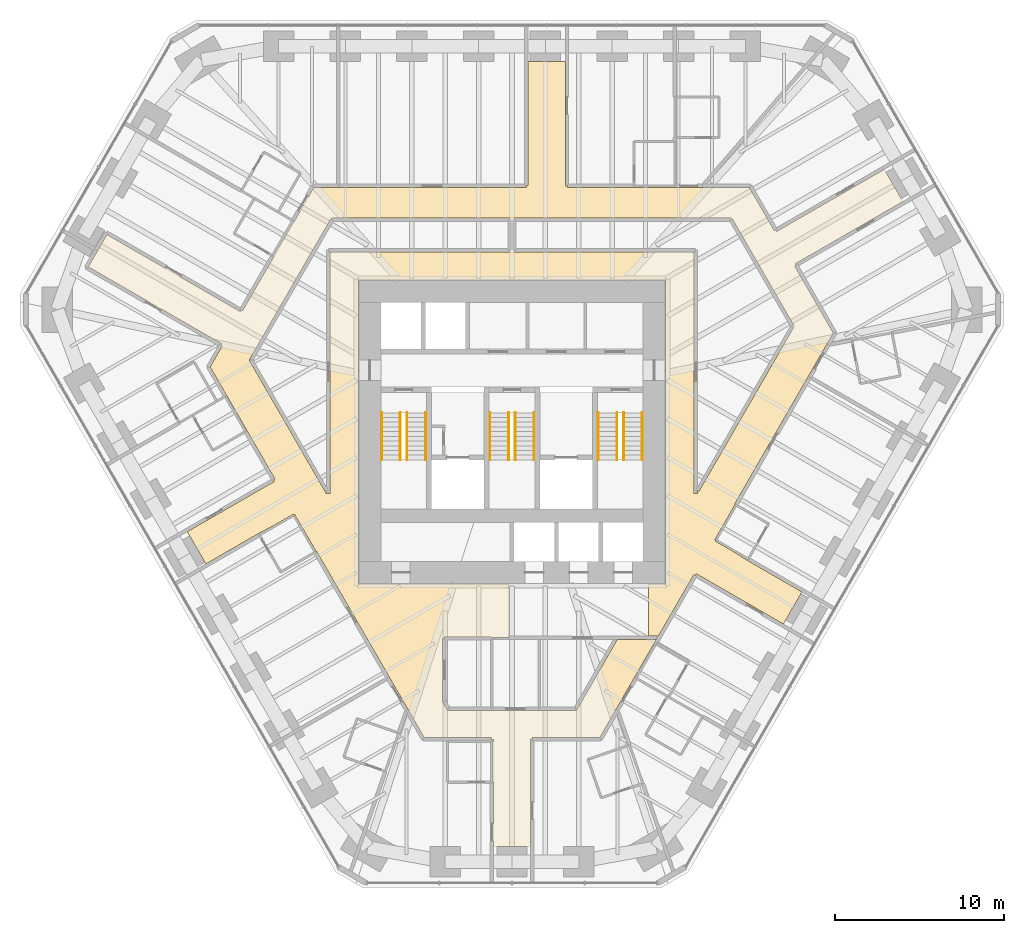
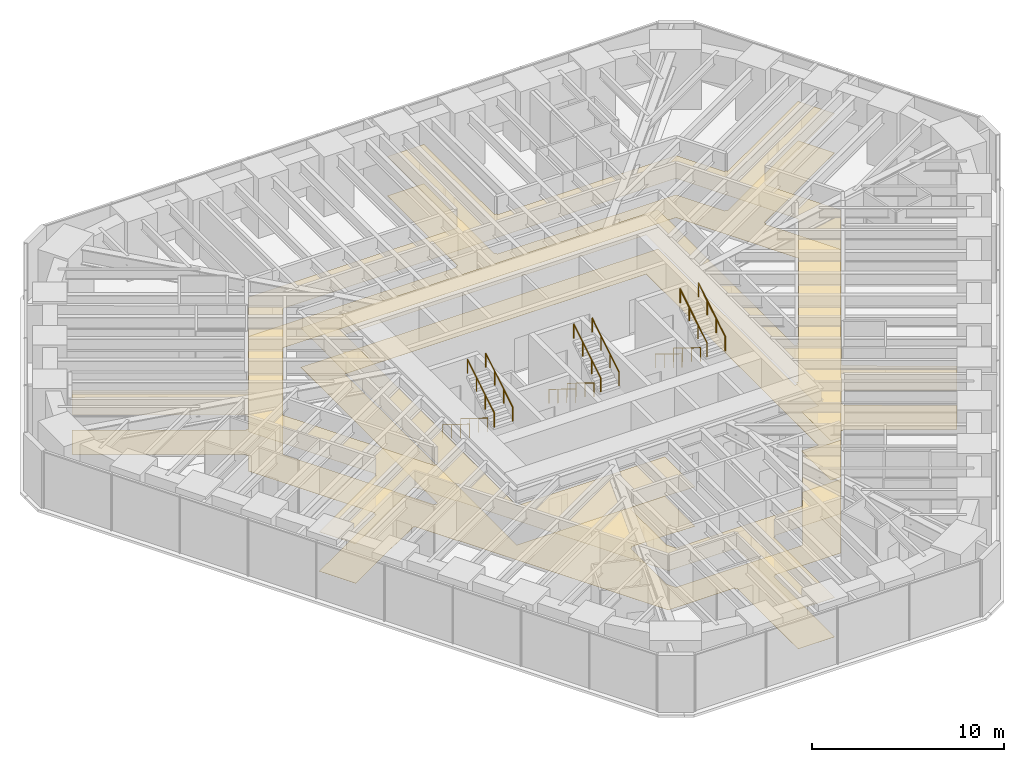
# One storey, part 16 of 16: 12 railings, 2 coverings.
"""IFC4 building model written with IfcOpenShell, lengths in metres."""

import ifcopenshell
import ifcopenshell.guid

model = None  # the IFC model being written
_history = None  # IfcOwnerHistory: only IFC2X3 demands one
_inside = {}  # id of a spatial element -> (the spatial element, [elements in it])
_under = {}  # id of a project, library or spatial element -> (it, [spatial elements below it])
_declared = {}  # id of a project -> (the project, [libraries it declares])
_typed = {}  # id of a type object -> (the type object, [elements of that type])
_made_of = {}  # id of a material, layer set ... -> (it, [elements and type objects made of it])


def new_model(schema):
    """Start an empty IFC model of exactly this schema.

    Asked for "IFC4X3", IfcOpenShell would pick the latest addendum, in which some entities
    have other attributes; the version numbers below select the first issue.
    IFC2X3 requires an IfcOwnerHistory on every rooted entity: one is made here for all.
    """
    global model, _history
    if schema == "IFC4X3":
        model = ifcopenshell.file(schema_version=(4, 3, 0, 0))
    else:
        model = ifcopenshell.file(schema=schema)
    _inside.clear()
    _under.clear()
    _declared.clear()
    _typed.clear()
    _made_of.clear()
    _history = None
    if model.schema == "IFC2X3":
        org = make("IfcOrganization", Name="unknown")
        user = make(
            "IfcPersonAndOrganization",
            ThePerson=make("IfcPerson", FamilyName="unknown"),
            TheOrganization=org,
        )
        app = make(
            "IfcApplication",
            ApplicationDeveloper=org,
            Version="unknown",
            ApplicationFullName="unknown",
            ApplicationIdentifier="unknown",
        )
        _history = make(
            "IfcOwnerHistory",
            OwningUser=user,
            OwningApplication=app,
            ChangeAction="ADDED",
            CreationDate=0,
        )
    return model


def make(cls, **values):
    """One entity of the class cls with the attributes given. An attribute that is None is left unset."""
    return model.create_entity(
        cls, **{name: value for name, value in values.items() if value is not None}
    )


def rooted(cls, **values):
    """An entity with a GlobalId (a new one), such as an element, a storey or a relation."""
    return make(cls, GlobalId=ifcopenshell.guid.new(), OwnerHistory=_history, **values)


def si_unit(unit_type, name, prefix=None):
    """IfcSIUnit, for example si_unit("LENGTHUNIT", "METRE", prefix="MILLI")."""
    return make("IfcSIUnit", UnitType=unit_type, Prefix=prefix, Name=name)


def assignment(units):
    """IfcUnitAssignment: the units of a project."""
    return None if units is None else make("IfcUnitAssignment", Units=units)


def point(xyz):
    """IfcCartesianPoint."""
    return None if xyz is None else make("IfcCartesianPoint", Coordinates=xyz)


def direction(xyz):
    """IfcDirection."""
    return None if xyz is None else make("IfcDirection", DirectionRatios=xyz)


def frame(location, z_axis=None, x_axis=None):
    """IfcAxis2Placement3D, a coordinate frame: its origin and axes. An axis left out is left unset."""
    return make(
        "IfcAxis2Placement3D",
        Location=point(location),
        Axis=direction(z_axis),
        RefDirection=direction(x_axis),
    )


def frame_2d(location, x_axis=None):
    """IfcAxis2Placement2D, a coordinate frame in the plane: its origin and x axis."""
    return make(
        "IfcAxis2Placement2D", Location=point(location), RefDirection=direction(x_axis)
    )


def origin():
    """The frame at (0, 0, 0) with its axes left unset."""
    return frame((0.0, 0.0, 0.0))


def origin_2d():
    """The frame at (0, 0) in the plane with its x axis left unset."""
    return frame_2d((0.0, 0.0))


def place(relative_to, where):
    """IfcLocalPlacement: puts the frame where relative to a parent placement (None: the world)."""
    return make(
        "IfcLocalPlacement", PlacementRelTo=relative_to, RelativePlacement=where
    )


def context(
    kind, dimensions, precision=None, world=None, true_north=None, identifier=None
):
    """IfcGeometricRepresentationContext, for example the 3D "Model" context."""
    return make(
        "IfcGeometricRepresentationContext",
        ContextIdentifier=identifier,
        ContextType=kind,
        CoordinateSpaceDimension=dimensions,
        Precision=precision,
        WorldCoordinateSystem=world,
        TrueNorth=true_north,
    )


def subcontext(parent, identifier, kind, view, scale=None):
    """IfcGeometricRepresentationSubContext, for example "Body" below "Model"."""
    return make(
        "IfcGeometricRepresentationSubContext",
        ContextIdentifier=identifier,
        ContextType=kind,
        ParentContext=parent,
        TargetScale=scale,
        TargetView=view,
    )


def project(units=None, contexts=None):
    """IfcProject with its units and contexts."""
    return rooted(
        "IfcProject",
        Name="project",
        RepresentationContexts=contexts,
        UnitsInContext=assignment(units),
    )


def spatial(cls, under=None, at=None, **own):
    """A site, building, storey or space (cls), placed at a placement, below another one or the project."""
    s = rooted(cls, ObjectPlacement=at, **own)
    if under is not None:
        _under.setdefault(under.id(), (under, []))[1].append(s)
    return s


def polyline(points):
    """IfcPolyline through the points."""
    return make("IfcPolyline", Points=[point(p) for p in points])


def profile(cls, at=None, kind="AREA", **sizes):
    """A parametric profile (cls). Its sizes go by their IFC names, for example OverallWidth=200.0."""
    return make(cls, ProfileType=kind, Position=at, **sizes)


def circle(**sizes):
    """IfcCircleProfileDef."""
    return profile("IfcCircleProfileDef", **sizes)


def outline(outer, holes=None, kind="AREA"):
    """IfcArbitraryClosedProfileDef: a profile drawn as a closed curve; with holes, ...WithVoids."""
    if holes is None:
        return make("IfcArbitraryClosedProfileDef", ProfileType=kind, OuterCurve=outer)
    return make(
        "IfcArbitraryProfileDefWithVoids",
        ProfileType=kind,
        OuterCurve=outer,
        InnerCurves=holes,
    )


def extrude(swept, where, along, depth):
    """IfcExtrudedAreaSolid: the profile swept, set in the frame where, extruded along a direction by depth."""
    return make(
        "IfcExtrudedAreaSolid",
        SweptArea=swept,
        Position=where,
        ExtrudedDirection=direction(along),
        Depth=depth,
    )


def shape(context_of_items, identifier, shape_type, items):
    """IfcShapeRepresentation: the items that make up one representation, for example the "Body"."""
    return make(
        "IfcShapeRepresentation",
        ContextOfItems=context_of_items,
        RepresentationIdentifier=identifier,
        RepresentationType=shape_type,
        Items=items,
    )


def material(Name=None, Category=None):
    """IfcMaterial."""
    return make("IfcMaterial", Name=Name, Category=Category)


def layer(
    of_material, thickness, ventilated=None, Name=None, Category=None, Priority=None
):
    """IfcMaterialLayer: one layer of a wall or slab, of a material (None: an air gap)."""
    return make(
        "IfcMaterialLayer",
        Material=of_material,
        LayerThickness=thickness,
        IsVentilated=ventilated,
        Name=Name,
        Category=Category,
        Priority=Priority,
    )


def layer_set(layers, Name=None):
    """IfcMaterialLayerSet."""
    return make("IfcMaterialLayerSet", MaterialLayers=layers, LayerSetName=Name)


def made_of(thing, what):
    """Note that an element or type object is made of a material, layer set ...; save() writes the relation."""
    if what is not None:
        _made_of.setdefault(what.id(), (what, []))[1].append(thing)
    return thing


def type_object(cls, material=None, **own):
    """A type object (cls), such as IfcWallType, which elements share."""
    return made_of(rooted(cls, **own), material)


def element(
    cls,
    number,
    at=None,
    inside=None,
    cuts=None,
    type_object=None,
    material=None,
    context=None,
    identifier="Body",
    shape_type=None,
    held_by="IfcProductDefinitionShape",
    body=None,
    shapes=None,
    **own,
):
    """One element of the class cls, such as IfcWall. Its Tag is "e" and its number.

    at: its placement. inside: the storey or other place that contains it. cuts: it is an
    opening in that element (IfcRelVoidsElement). A single representation is given by context,
    identifier, shape_type and body (its items); several are given by shapes. held_by: the class
    of the entity that holds the representations. save() writes the other relations.
    """
    e = rooted(cls, Tag="e%d" % number, ObjectPlacement=at, **own)
    if body is not None:
        shapes = [shape(context, identifier, shape_type, body)]
    if shapes is not None:
        e.Representation = make(held_by, Representations=shapes)
    if inside is not None:
        _inside.setdefault(inside.id(), (inside, []))[1].append(e)
    if cuts is not None:
        rooted(
            "IfcRelVoidsElement", RelatingBuildingElement=cuts, RelatedOpeningElement=e
        )
    if type_object is not None:
        _typed.setdefault(type_object.id(), (type_object, []))[1].append(e)
    return made_of(e, material)


def aggregate(whole, parts):
    """IfcRelAggregates: a whole, such as a stair, and the parts it consists of."""
    return rooted("IfcRelAggregates", RelatingObject=whole, RelatedObjects=parts)


def save(model, path):
    """Write the relations noted so far, then the file.

    IfcRelAggregates (storeys below a building ...), IfcRelContainedInSpatialStructure (elements
    in a storey), IfcRelDefinesByType, IfcRelAssociatesMaterial and IfcRelDeclares: one each for
    every whole, place, type object, material and project.
    """
    for whole, parts in _under.values():
        aggregate(whole, parts)
    for where, things in _inside.values():
        rooted(
            "IfcRelContainedInSpatialStructure",
            RelatedElements=things,
            RelatingStructure=where,
        )
    for kind, things in _typed.values():
        rooted("IfcRelDefinesByType", RelatedObjects=things, RelatingType=kind)
    for what, things in _made_of.values():
        rooted("IfcRelAssociatesMaterial", RelatedObjects=things, RelatingMaterial=what)
    for by, libraries in _declared.values():
        rooted("IfcRelDeclares", RelatingContext=by, RelatedDefinitions=libraries)
    model.write(path)


model = new_model("IFC4")

# Units and contexts
model_context = context("Model", 3, precision=1e-05, world=origin(), true_north=direction((0.0, 1.0)))
body_context = subcontext(model_context, "Body", "Model", "MODEL_VIEW")
ifc_project = project(units=[si_unit("LENGTHUNIT", "METRE"), si_unit("AREAUNIT", "SQUARE_METRE"), si_unit("VOLUMEUNIT", "CUBIC_METRE"), si_unit("PLANEANGLEUNIT", "RADIAN"), si_unit("MASSUNIT", "GRAM", prefix="KILO")], contexts=[model_context])

# Site, building, storey
site_placement = place(None, origin())
site = spatial("IfcSite", under=ifc_project, at=site_placement, CompositionType="ELEMENT")
building_placement = place(site_placement, origin())
building = spatial("IfcBuilding", under=site, at=building_placement, Name="Sandreach Pilgrim Tower", CompositionType="ELEMENT")
storey_placement = place(building_placement, frame((0.0, 0.0, 131.0)))
storey = spatial("IfcBuildingStorey", under=building, at=storey_placement, Name="L32", CompositionType="ELEMENT", Elevation=131.0)

# Coverings
ifc_material_1 = material(Name="Nylon carpet tile on the slab", Category="textile")
ifc_layer_1 = layer(ifc_material_1, 0.008056640625)
ifc_layer_set_1 = layer_set([ifc_layer_1], Name="Carpet tile")
covering_type_1 = type_object("IfcCoveringType", Name="Carpet tile", PredefinedType="FLOORING", material=ifc_layer_set_1)
covering_1_placement = place(storey_placement, origin())
element("IfcCovering", 1, at=covering_1_placement, inside=storey, type_object=covering_type_1, Name="Floor finish 32C Corridor 32", PredefinedType="FLOORING", context=body_context, shape_type="SweptSolid", body=[
    extrude(outline(polyline([(-18.0859375, -9.341796875), (-19.1865234375, -7.435791015625), (-14.0400390625, -4.466552734375), (-14.094970703125, -4.371337890625), (-14.00830078125, -4.3212890625), (-17.83447265625, 2.300048828125), (-17.130859375, 3.516845703125), (-17.216064453125, 3.566162109375), (-17.159912109375, 3.66650390625), (-25.033447265625, 8.20654296875), (-23.933349609375, 10.113525390625), (-16.06005859375, 5.573486328125), (-16.0029296875, 5.66748046875), (-15.91845703125, 5.618408203125), (-11.712158203125, 12.889892578125), (0.85009765625, 12.889892578125), (0.853515625, 13.0048828125), (0.949951171875, 13.0048828125), (0.949951171875, 20.333740234375), (3.14990234375, 20.333740234375), (3.14990234375, 12.989990234375), (3.264892578125, 12.989990234375), (3.264892578125, 12.889892578125), (14.0224609375, 12.889892578125), (15.49853515625, 10.348388671875), (15.58154296875, 10.396728515625), (15.639892578125, 10.303466796875), (21.99365234375, 13.970458984375), (23.09423828125, 12.06396484375), (16.739990234375, 8.396728515625), (16.794677734375, 8.29541015625), (16.710693359375, 8.2470703125), (18.984619140625, 4.2998046875), (13.1533203125, -5.81005859375), (13.181884765625, -5.826416015625), (11.988037109375, -7.909912109375), (12.03857421875, -7.9423828125), (12.010009765625, -7.991943359375), (13.140869140625, -8.645751953125), (13.909912109375, -9.136474609375), (17.13037109375, -10.996826171875), (16.0341796875, -12.8955078125), (10.89013671875, -9.92333984375), (10.83251953125, -10.02294921875), (10.745849609375, -9.972900390625), (8.6513671875, -13.60009765625), (8.050048828125, -13.60009765625), (8.050048828125, -10.52001953125), (9.070068359375, -10.52001953125), (9.070068359375, 7.419921875), (-9.070068359375, 7.419921875), (-9.070068359375, -10.52001953125), (-0.175048828125, -10.52001953125), (-0.175048828125, -13.68994140625), (-1.199951171875, -13.67919921875), (-1.199951171875, -13.64990234375), (-3.989990234375, -13.64990234375), (-3.989990234375, -13.75), (-4.10009765625, -13.75), (-4.10009765625, -17.487060546875), (-3.8076171875, -17.989990234375), (3.8076171875, -17.989990234375), (6.2265625, -13.800048828125), (8.535888671875, -13.800048828125), (5.192138671875, -19.590087890625), (1.215087890625, -19.590087890625), (1.215087890625, -19.68994140625), (1.10009765625, -19.68994140625), (1.10009765625, -26.0322265625), (-1.10009765625, -26.0322265625), (-1.10009765625, -19.699951171875), (-1.199951171875, -19.699951171875), (-1.199951171875, -19.590087890625), (-5.192138671875, -19.590087890625), (-11.54345703125, -8.599853515625), (-11.56884765625, -8.61474609375), (-12.837890625, -6.43017578125), (-12.891357421875, -6.4580078125), (-12.919921875, -6.407958984375), (-14.11767578125, -7.09814453125), (-14.969970703125, -7.54345703125), (-18.0859375, -9.341796875)]), holes=[polyline([(-15.525390625, 2.699951171875), (-10.965576171875, -5.18994140625), (-10.75, -5.18994140625), (-10.75, 9.10009765625), (10.75, 9.10009765625), (10.75, -5.18994140625), (10.949951171875, -5.18994140625), (10.949951171875, -4.99365234375), (11.046630859375, -5.049560546875), (16.675537109375, 4.699951171875), (12.98779296875, 11.090087890625), (-10.677734375, 11.090087890625), (-15.525390625, 2.699951171875)])]), origin(), (0.0, 0.0, 1.0), 0.008056640625),
])
ifc_material_2 = material(Name="Gypsum board suspended ceiling on a steel grid", Category="steel")
ifc_layer_2 = layer(ifc_material_2, 0.012939453125)
ifc_layer_set_2 = layer_set([ifc_layer_2], Name="Gypsum board suspended ceiling")
covering_type_2 = type_object("IfcCoveringType", Name="Gypsum board suspended ceiling", PredefinedType="CEILING", material=ifc_layer_set_2)
covering_2_placement = place(storey_placement, frame((0.0, 0.0, 2.5)))
element("IfcCovering", 2, at=covering_2_placement, inside=storey, type_object=covering_type_2, Name="Ceiling 32C Corridor 32", PredefinedType="CEILING", context=body_context, shape_type="SweptSolid", body=[
    extrude(outline(polyline([(-14.094970703125, -4.371337890625), (-14.00830078125, -4.3212890625), (-17.83447265625, 2.300048828125), (-17.130859375, 3.516845703125), (-17.216064453125, 3.566162109375), (-17.159912109375, 3.66650390625), (-25.033447265625, 8.20654296875), (-23.933349609375, 10.113525390625), (-16.06005859375, 5.573486328125), (-16.0029296875, 5.66748046875), (-15.91845703125, 5.618408203125), (-11.712158203125, 12.889892578125), (0.85009765625, 12.889892578125), (0.853515625, 13.0048828125), (0.949951171875, 13.0048828125), (0.949951171875, 20.333740234375), (3.14990234375, 20.333740234375), (3.14990234375, 12.989990234375), (3.264892578125, 12.989990234375), (3.264892578125, 12.889892578125), (14.0224609375, 12.889892578125), (15.49853515625, 10.348388671875), (15.58154296875, 10.396728515625), (15.639892578125, 10.303466796875), (21.99365234375, 13.970458984375), (23.09423828125, 12.06396484375), (16.739990234375, 8.396728515625), (16.794677734375, 8.29541015625), (16.710693359375, 8.2470703125), (18.984619140625, 4.2998046875), (13.1533203125, -5.81005859375), (13.181884765625, -5.826416015625), (11.988037109375, -7.909912109375), (12.03857421875, -7.9423828125), (12.010009765625, -7.991943359375), (13.140869140625, -8.645751953125), (13.909912109375, -9.136474609375), (17.13037109375, -10.996826171875), (16.0341796875, -12.8955078125), (10.89013671875, -9.92333984375), (10.83251953125, -10.02294921875), (10.745849609375, -9.972900390625), (8.6513671875, -13.60009765625), (8.050048828125, -13.60009765625), (8.050048828125, -10.52001953125), (9.070068359375, -10.52001953125), (9.070068359375, 7.419921875), (-9.070068359375, 7.419921875), (-9.070068359375, -10.52001953125), (-0.175048828125, -10.52001953125), (-0.175048828125, -13.68994140625), (-1.199951171875, -13.67919921875), (-1.199951171875, -13.64990234375), (-3.989990234375, -13.64990234375), (-3.989990234375, -13.75), (-4.10009765625, -13.75), (-4.10009765625, -17.487060546875), (-3.8076171875, -17.989990234375), (3.8076171875, -17.989990234375), (6.2265625, -13.800048828125), (8.535888671875, -13.800048828125), (5.192138671875, -19.590087890625), (1.215087890625, -19.590087890625), (1.215087890625, -19.68994140625), (1.10009765625, -19.68994140625), (1.10009765625, -26.0322265625), (-1.10009765625, -26.0322265625), (-1.10009765625, -19.699951171875), (-1.199951171875, -19.699951171875), (-1.199951171875, -19.590087890625), (-5.192138671875, -19.590087890625), (-11.54345703125, -8.599853515625), (-11.56884765625, -8.61474609375), (-12.837890625, -6.43017578125), (-12.891357421875, -6.4580078125), (-12.919921875, -6.407958984375), (-14.11767578125, -7.09814453125), (-14.969970703125, -7.54345703125), (-18.0859375, -9.341796875), (-19.1865234375, -7.435791015625), (-14.0400390625, -4.466552734375), (-14.094970703125, -4.371337890625)]), holes=[polyline([(-10.965576171875, -5.18994140625), (-10.75, -5.18994140625), (-10.75, 9.10009765625), (10.75, 9.10009765625), (10.75, -5.18994140625), (10.949951171875, -5.18994140625), (10.949951171875, -4.99365234375), (11.046630859375, -5.049560546875), (16.675537109375, 4.699951171875), (12.98779296875, 11.090087890625), (-10.677734375, 11.090087890625), (-15.525390625, 2.699951171875), (-10.965576171875, -5.18994140625)])]), origin(), (0.0, 0.0, 1.0), 0.012939453125),
])

# Railings
ifc_material_3 = material(Name="Stainless steel tube", Category="steel")
railing_type = type_object("IfcRailingType", Name="Stair handrail", PredefinedType="HANDRAIL", material=ifc_material_3)
for number, where, name in (
    (3, (-6.60009765625, -0.39990234375, 0.172607421875), "Handrail ST1 L32 flight 1"),
    (4, (-7.699951171875, -0.39990234375, 0.172607421875), "Handrail ST1 L32 flight 1"),
):
    element("IfcRailing", number, at=place(storey_placement, frame(where)), inside=storey, type_object=railing_type, Name=name, PredefinedType="HANDRAIL", context=body_context, shape_type="SweptSolid", body=[
        extrude(circle(Radius=0.02392578125, at=origin_2d()), frame((0.0, 0.0, 0.8759765625), z_axis=(0.0, -0.851089632645, 0.525020415988), x_axis=(1.0, 0.0, 0.0)), (0.0, 0.0, 1.0), 3.2900390625),
        extrude(circle(Radius=0.02099609375, at=origin_2d()), origin(), (0.0, 0.0, 1.0), 0.851806640625),
        extrude(circle(Radius=0.02099609375, at=origin_2d()), frame((0.0, -0.933349609375, 0.57568359375)), (0.0, 0.0, 1.0), 0.851806640625),
        extrude(circle(Radius=0.02099609375, at=origin_2d()), frame((0.0, -1.86669921875, 1.151611328125)), (0.0, 0.0, 1.0), 0.851806640625),
        extrude(circle(Radius=0.02099609375, at=origin_2d()), frame((0.0, -2.800048828125, 1.727294921875)), (0.0, 0.0, 1.0), 0.851806640625),
    ])
for number, where, name in (
    (5, (-6.199951171875, -3.199951171875, 2.07275390625), "Handrail ST1 L32 flight 2"),
    (6, (-5.10009765625, -3.199951171875, 2.07275390625), "Handrail ST1 L32 flight 2"),
):
    element("IfcRailing", number, at=place(storey_placement, frame(where)), inside=storey, type_object=railing_type, Name=name, PredefinedType="HANDRAIL", context=body_context, shape_type="SweptSolid", body=[
        extrude(circle(Radius=0.02392578125, at=origin_2d()), frame((0.0, 0.0, 0.8759765625), z_axis=(0.0, 0.851089632645, 0.525020415988), x_axis=(-1.0, 0.0, 0.0)), (0.0, 0.0, 1.0), 3.2900390625),
        extrude(circle(Radius=0.02099609375, at=origin_2d()), origin(), (0.0, 0.0, 1.0), 0.851806640625),
        extrude(circle(Radius=0.02099609375, at=origin_2d()), frame((0.0, 0.933349609375, 0.57568359375)), (0.0, 0.0, 1.0), 0.851806640625),
        extrude(circle(Radius=0.02099609375, at=origin_2d()), frame((0.0, 1.86669921875, 1.151611328125)), (0.0, 0.0, 1.0), 0.851806640625),
        extrude(circle(Radius=0.02099609375, at=origin_2d()), frame((0.0, 2.800048828125, 1.727294921875)), (0.0, 0.0, 1.0), 0.851806640625),
    ])
for number, where, name in (
    (7, (-0.199951171875, -0.39990234375, 0.172607421875), "Handrail ST3 L32 flight 1"),
    (8, (-1.300048828125, -0.39990234375, 0.172607421875), "Handrail ST3 L32 flight 1"),
):
    element("IfcRailing", number, at=place(storey_placement, frame(where)), inside=storey, type_object=railing_type, Name=name, PredefinedType="HANDRAIL", context=body_context, shape_type="SweptSolid", body=[
        extrude(circle(Radius=0.02392578125, at=origin_2d()), frame((0.0, 0.0, 0.8759765625), z_axis=(0.0, -0.851089632645, 0.525020415988), x_axis=(1.0, 0.0, 0.0)), (0.0, 0.0, 1.0), 3.2900390625),
        extrude(circle(Radius=0.02099609375, at=origin_2d()), origin(), (0.0, 0.0, 1.0), 0.851806640625),
        extrude(circle(Radius=0.02099609375, at=origin_2d()), frame((0.0, -0.933349609375, 0.57568359375)), (0.0, 0.0, 1.0), 0.851806640625),
        extrude(circle(Radius=0.02099609375, at=origin_2d()), frame((0.0, -1.86669921875, 1.151611328125)), (0.0, 0.0, 1.0), 0.851806640625),
        extrude(circle(Radius=0.02099609375, at=origin_2d()), frame((0.0, -2.800048828125, 1.727294921875)), (0.0, 0.0, 1.0), 0.851806640625),
    ])
for number, where, name in (
    (9, (0.199951171875, -3.199951171875, 2.07275390625), "Handrail ST3 L32 flight 2"),
    (10, (1.300048828125, -3.199951171875, 2.07275390625), "Handrail ST3 L32 flight 2"),
):
    element("IfcRailing", number, at=place(storey_placement, frame(where)), inside=storey, type_object=railing_type, Name=name, PredefinedType="HANDRAIL", context=body_context, shape_type="SweptSolid", body=[
        extrude(circle(Radius=0.02392578125, at=origin_2d()), frame((0.0, 0.0, 0.8759765625), z_axis=(0.0, 0.851089632645, 0.525020415988), x_axis=(-1.0, 0.0, 0.0)), (0.0, 0.0, 1.0), 3.2900390625),
        extrude(circle(Radius=0.02099609375, at=origin_2d()), origin(), (0.0, 0.0, 1.0), 0.851806640625),
        extrude(circle(Radius=0.02099609375, at=origin_2d()), frame((0.0, 0.933349609375, 0.57568359375)), (0.0, 0.0, 1.0), 0.851806640625),
        extrude(circle(Radius=0.02099609375, at=origin_2d()), frame((0.0, 1.86669921875, 1.151611328125)), (0.0, 0.0, 1.0), 0.851806640625),
        extrude(circle(Radius=0.02099609375, at=origin_2d()), frame((0.0, 2.800048828125, 1.727294921875)), (0.0, 0.0, 1.0), 0.851806640625),
    ])
for number, where, name in (
    (11, (6.199951171875, -0.39990234375, 0.172607421875), "Handrail ST2 L32 flight 1"),
    (12, (5.10009765625, -0.39990234375, 0.172607421875), "Handrail ST2 L32 flight 1"),
):
    element("IfcRailing", number, at=place(storey_placement, frame(where)), inside=storey, type_object=railing_type, Name=name, PredefinedType="HANDRAIL", context=body_context, shape_type="SweptSolid", body=[
        extrude(circle(Radius=0.02392578125, at=origin_2d()), frame((0.0, 0.0, 0.8759765625), z_axis=(0.0, -0.851089632645, 0.525020415988), x_axis=(1.0, 0.0, 0.0)), (0.0, 0.0, 1.0), 3.2900390625),
        extrude(circle(Radius=0.02099609375, at=origin_2d()), origin(), (0.0, 0.0, 1.0), 0.851806640625),
        extrude(circle(Radius=0.02099609375, at=origin_2d()), frame((0.0, -0.933349609375, 0.57568359375)), (0.0, 0.0, 1.0), 0.851806640625),
        extrude(circle(Radius=0.02099609375, at=origin_2d()), frame((0.0, -1.86669921875, 1.151611328125)), (0.0, 0.0, 1.0), 0.851806640625),
        extrude(circle(Radius=0.02099609375, at=origin_2d()), frame((0.0, -2.800048828125, 1.727294921875)), (0.0, 0.0, 1.0), 0.851806640625),
    ])
for number, where, name in (
    (13, (6.60009765625, -3.199951171875, 2.07275390625), "Handrail ST2 L32 flight 2"),
    (14, (7.699951171875, -3.199951171875, 2.07275390625), "Handrail ST2 L32 flight 2"),
):
    element("IfcRailing", number, at=place(storey_placement, frame(where)), inside=storey, type_object=railing_type, Name=name, PredefinedType="HANDRAIL", context=body_context, shape_type="SweptSolid", body=[
        extrude(circle(Radius=0.02392578125, at=origin_2d()), frame((0.0, 0.0, 0.8759765625), z_axis=(0.0, 0.851089632645, 0.525020415988), x_axis=(-1.0, 0.0, 0.0)), (0.0, 0.0, 1.0), 3.2900390625),
        extrude(circle(Radius=0.02099609375, at=origin_2d()), origin(), (0.0, 0.0, 1.0), 0.851806640625),
        extrude(circle(Radius=0.02099609375, at=origin_2d()), frame((0.0, 0.933349609375, 0.57568359375)), (0.0, 0.0, 1.0), 0.851806640625),
        extrude(circle(Radius=0.02099609375, at=origin_2d()), frame((0.0, 1.86669921875, 1.151611328125)), (0.0, 0.0, 1.0), 0.851806640625),
        extrude(circle(Radius=0.02099609375, at=origin_2d()), frame((0.0, 2.800048828125, 1.727294921875)), (0.0, 0.0, 1.0), 0.851806640625),
    ])

save(model, "model.ifc")
